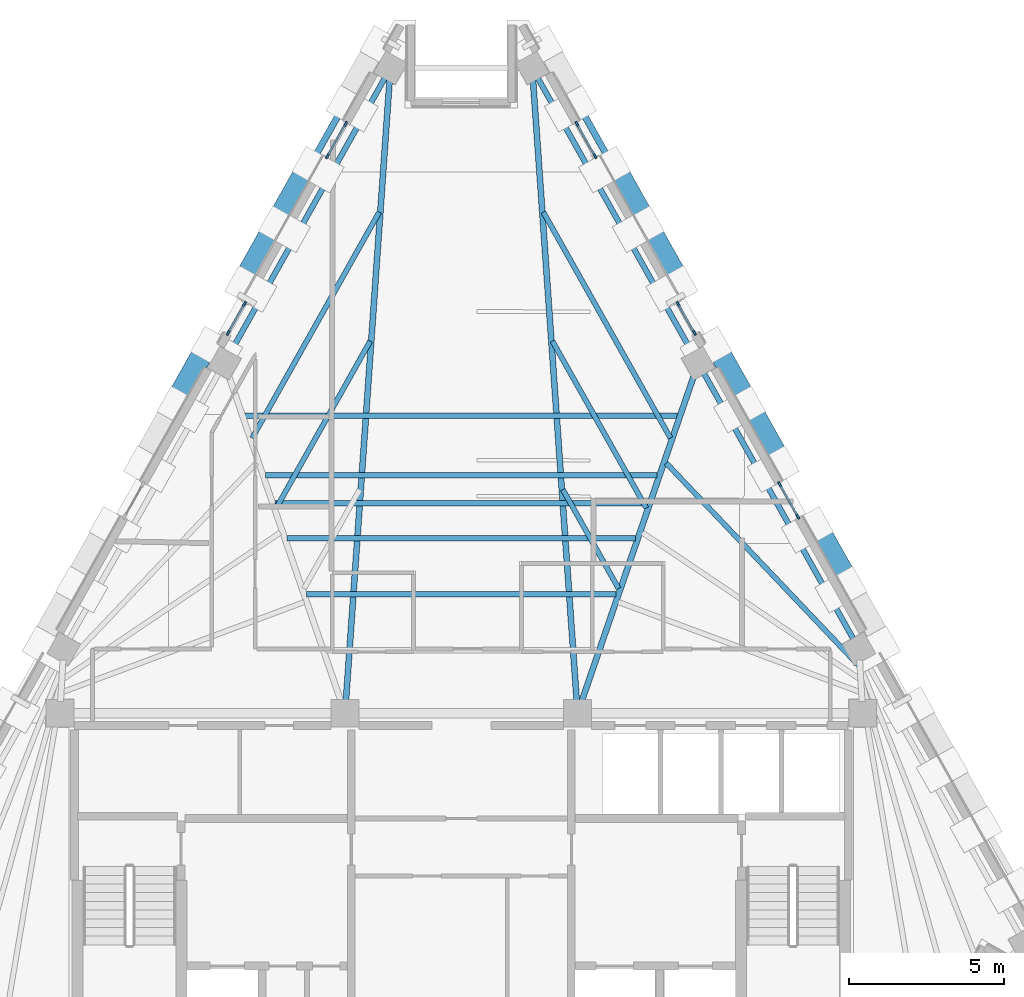
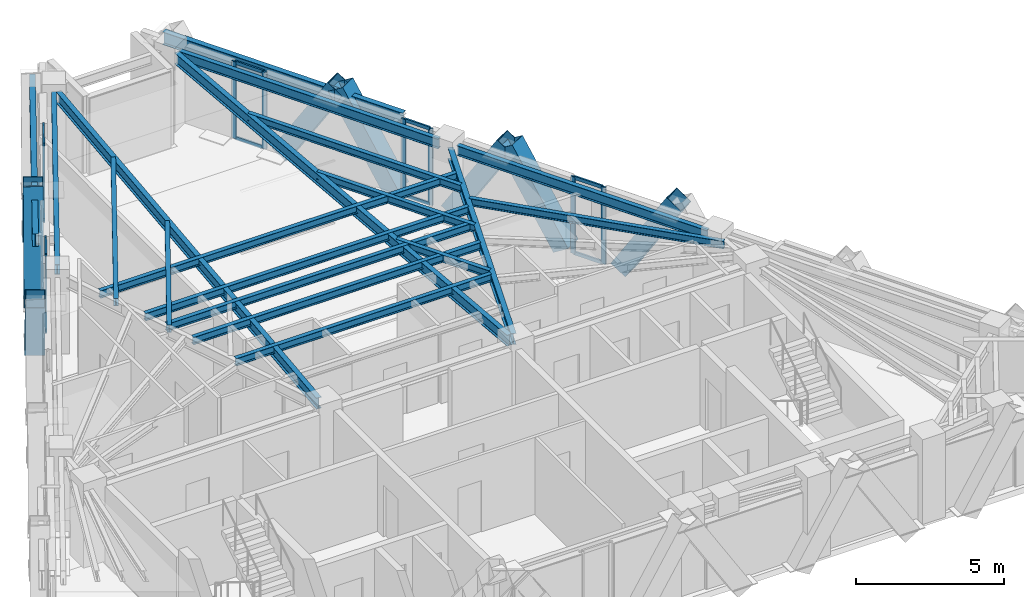
# One storey, part 3 of 9: 28 members, 19 beams, 5 elements without a shape of their own.
"""IFC4 building model written with IfcOpenShell, lengths in metres."""

import ifcopenshell
import ifcopenshell.guid

model = None  # the IFC model being written
_history = None  # IfcOwnerHistory: only IFC2X3 demands one
_inside = {}  # id of a spatial element -> (the spatial element, [elements in it])
_under = {}  # id of a project, library or spatial element -> (it, [spatial elements below it])
_declared = {}  # id of a project -> (the project, [libraries it declares])
_typed = {}  # id of a type object -> (the type object, [elements of that type])
_made_of = {}  # id of a material, layer set ... -> (it, [elements and type objects made of it])


def new_model(schema):
    """Start an empty IFC model of exactly this schema.

    Asked for "IFC4X3", IfcOpenShell would pick the latest addendum, in which some entities
    have other attributes; the version numbers below select the first issue.
    IFC2X3 requires an IfcOwnerHistory on every rooted entity: one is made here for all.
    """
    global model, _history
    if schema == "IFC4X3":
        model = ifcopenshell.file(schema_version=(4, 3, 0, 0))
    else:
        model = ifcopenshell.file(schema=schema)
    _inside.clear()
    _under.clear()
    _declared.clear()
    _typed.clear()
    _made_of.clear()
    _history = None
    if model.schema == "IFC2X3":
        org = make("IfcOrganization", Name="unknown")
        user = make(
            "IfcPersonAndOrganization",
            ThePerson=make("IfcPerson", FamilyName="unknown"),
            TheOrganization=org,
        )
        app = make(
            "IfcApplication",
            ApplicationDeveloper=org,
            Version="unknown",
            ApplicationFullName="unknown",
            ApplicationIdentifier="unknown",
        )
        _history = make(
            "IfcOwnerHistory",
            OwningUser=user,
            OwningApplication=app,
            ChangeAction="ADDED",
            CreationDate=0,
        )
    return model


def make(cls, **values):
    """One entity of the class cls with the attributes given. An attribute that is None is left unset."""
    return model.create_entity(
        cls, **{name: value for name, value in values.items() if value is not None}
    )


def rooted(cls, **values):
    """An entity with a GlobalId (a new one), such as an element, a storey or a relation."""
    return make(cls, GlobalId=ifcopenshell.guid.new(), OwnerHistory=_history, **values)


def si_unit(unit_type, name, prefix=None):
    """IfcSIUnit, for example si_unit("LENGTHUNIT", "METRE", prefix="MILLI")."""
    return make("IfcSIUnit", UnitType=unit_type, Prefix=prefix, Name=name)


def assignment(units):
    """IfcUnitAssignment: the units of a project."""
    return None if units is None else make("IfcUnitAssignment", Units=units)


def point(xyz):
    """IfcCartesianPoint."""
    return None if xyz is None else make("IfcCartesianPoint", Coordinates=xyz)


def direction(xyz):
    """IfcDirection."""
    return None if xyz is None else make("IfcDirection", DirectionRatios=xyz)


def frame(location, z_axis=None, x_axis=None):
    """IfcAxis2Placement3D, a coordinate frame: its origin and axes. An axis left out is left unset."""
    return make(
        "IfcAxis2Placement3D",
        Location=point(location),
        Axis=direction(z_axis),
        RefDirection=direction(x_axis),
    )


def frame_2d(location, x_axis=None):
    """IfcAxis2Placement2D, a coordinate frame in the plane: its origin and x axis."""
    return make(
        "IfcAxis2Placement2D", Location=point(location), RefDirection=direction(x_axis)
    )


def origin():
    """The frame at (0, 0, 0) with its axes left unset."""
    return frame((0.0, 0.0, 0.0))


def origin_2d():
    """The frame at (0, 0) in the plane with its x axis left unset."""
    return frame_2d((0.0, 0.0))


def place(relative_to, where):
    """IfcLocalPlacement: puts the frame where relative to a parent placement (None: the world)."""
    return make(
        "IfcLocalPlacement", PlacementRelTo=relative_to, RelativePlacement=where
    )


def context(
    kind, dimensions, precision=None, world=None, true_north=None, identifier=None
):
    """IfcGeometricRepresentationContext, for example the 3D "Model" context."""
    return make(
        "IfcGeometricRepresentationContext",
        ContextIdentifier=identifier,
        ContextType=kind,
        CoordinateSpaceDimension=dimensions,
        Precision=precision,
        WorldCoordinateSystem=world,
        TrueNorth=true_north,
    )


def subcontext(parent, identifier, kind, view, scale=None):
    """IfcGeometricRepresentationSubContext, for example "Body" below "Model"."""
    return make(
        "IfcGeometricRepresentationSubContext",
        ContextIdentifier=identifier,
        ContextType=kind,
        ParentContext=parent,
        TargetScale=scale,
        TargetView=view,
    )


def project(units=None, contexts=None):
    """IfcProject with its units and contexts."""
    return rooted(
        "IfcProject",
        Name="project",
        RepresentationContexts=contexts,
        UnitsInContext=assignment(units),
    )


def spatial(cls, under=None, at=None, **own):
    """A site, building, storey or space (cls), placed at a placement, below another one or the project."""
    s = rooted(cls, ObjectPlacement=at, **own)
    if under is not None:
        _under.setdefault(under.id(), (under, []))[1].append(s)
    return s


def profile(cls, at=None, kind="AREA", **sizes):
    """A parametric profile (cls). Its sizes go by their IFC names, for example OverallWidth=200.0."""
    return make(cls, ProfileType=kind, Position=at, **sizes)


def rectangle(**sizes):
    """IfcRectangleProfileDef."""
    return profile("IfcRectangleProfileDef", **sizes)


def hollow_rectangle(**sizes):
    """IfcRectangleHollowProfileDef."""
    return profile("IfcRectangleHollowProfileDef", **sizes)


def i_section(**sizes):
    """IfcIShapeProfileDef."""
    return profile("IfcIShapeProfileDef", **sizes)


def extrude(swept, where, along, depth):
    """IfcExtrudedAreaSolid: the profile swept, set in the frame where, extruded along a direction by depth."""
    return make(
        "IfcExtrudedAreaSolid",
        SweptArea=swept,
        Position=where,
        ExtrudedDirection=direction(along),
        Depth=depth,
    )


def shape(context_of_items, identifier, shape_type, items):
    """IfcShapeRepresentation: the items that make up one representation, for example the "Body"."""
    return make(
        "IfcShapeRepresentation",
        ContextOfItems=context_of_items,
        RepresentationIdentifier=identifier,
        RepresentationType=shape_type,
        Items=items,
    )


def material(Name=None, Category=None):
    """IfcMaterial."""
    return make("IfcMaterial", Name=Name, Category=Category)


def material_profile(
    of_material, cross_section, Name=None, Category=None, Priority=None
):
    """IfcMaterialProfile: a cross section and its material."""
    return make(
        "IfcMaterialProfile",
        Name=Name,
        Material=of_material,
        Profile=cross_section,
        Priority=Priority,
        Category=Category,
    )


def profile_set(profiles, Name=None, composite=None):
    """IfcMaterialProfileSet."""
    return make(
        "IfcMaterialProfileSet",
        Name=Name,
        MaterialProfiles=profiles,
        CompositeProfile=composite,
    )


def made_of(thing, what):
    """Note that an element or type object is made of a material, layer set ...; save() writes the relation."""
    if what is not None:
        _made_of.setdefault(what.id(), (what, []))[1].append(thing)
    return thing


def type_object(cls, material=None, **own):
    """A type object (cls), such as IfcWallType, which elements share."""
    return made_of(rooted(cls, **own), material)


def element(
    cls,
    number,
    at=None,
    inside=None,
    cuts=None,
    type_object=None,
    material=None,
    context=None,
    identifier="Body",
    shape_type=None,
    held_by="IfcProductDefinitionShape",
    body=None,
    shapes=None,
    **own,
):
    """One element of the class cls, such as IfcWall. Its Tag is "e" and its number.

    at: its placement. inside: the storey or other place that contains it. cuts: it is an
    opening in that element (IfcRelVoidsElement). A single representation is given by context,
    identifier, shape_type and body (its items); several are given by shapes. held_by: the class
    of the entity that holds the representations. save() writes the other relations.
    """
    e = rooted(cls, Tag="e%d" % number, ObjectPlacement=at, **own)
    if body is not None:
        shapes = [shape(context, identifier, shape_type, body)]
    if shapes is not None:
        e.Representation = make(held_by, Representations=shapes)
    if inside is not None:
        _inside.setdefault(inside.id(), (inside, []))[1].append(e)
    if cuts is not None:
        rooted(
            "IfcRelVoidsElement", RelatingBuildingElement=cuts, RelatedOpeningElement=e
        )
    if type_object is not None:
        _typed.setdefault(type_object.id(), (type_object, []))[1].append(e)
    return made_of(e, material)


def aggregate(whole, parts):
    """IfcRelAggregates: a whole, such as a stair, and the parts it consists of."""
    return rooted("IfcRelAggregates", RelatingObject=whole, RelatedObjects=parts)


def save(model, path):
    """Write the relations noted so far, then the file.

    IfcRelAggregates (storeys below a building ...), IfcRelContainedInSpatialStructure (elements
    in a storey), IfcRelDefinesByType, IfcRelAssociatesMaterial and IfcRelDeclares: one each for
    every whole, place, type object, material and project.
    """
    for whole, parts in _under.values():
        aggregate(whole, parts)
    for where, things in _inside.values():
        rooted(
            "IfcRelContainedInSpatialStructure",
            RelatedElements=things,
            RelatingStructure=where,
        )
    for kind, things in _typed.values():
        rooted("IfcRelDefinesByType", RelatedObjects=things, RelatingType=kind)
    for what, things in _made_of.values():
        rooted("IfcRelAssociatesMaterial", RelatedObjects=things, RelatingMaterial=what)
    for by, libraries in _declared.values():
        rooted("IfcRelDeclares", RelatingContext=by, RelatedDefinitions=libraries)
    model.write(path)


model = new_model("IFC4")

# Units and contexts
model_context = context("Model", 3, precision=1e-05, world=origin(), true_north=direction((0.0, 1.0)))
body_context = subcontext(model_context, "Body", "Model", "MODEL_VIEW")
ifc_project = project(units=[si_unit("LENGTHUNIT", "METRE"), si_unit("AREAUNIT", "SQUARE_METRE"), si_unit("VOLUMEUNIT", "CUBIC_METRE"), si_unit("PLANEANGLEUNIT", "RADIAN"), si_unit("MASSUNIT", "GRAM", prefix="KILO")], contexts=[model_context])

# Site, building, storey
site_placement = place(None, origin())
site = spatial("IfcSite", under=ifc_project, at=site_placement, CompositionType="ELEMENT")
building_placement = place(site_placement, origin())
building = spatial("IfcBuilding", under=site, at=building_placement, Name="Quenlor Broadcast Tower", CompositionType="ELEMENT")
storey_placement = place(building_placement, frame((0.0, 0.0, 267.39990234375)))
storey = spatial("IfcBuildingStorey", under=building, at=storey_placement, Name="L74", CompositionType="ELEMENT", Elevation=267.39990234375)

# Curtain wall, members
ifc_material_1 = material(Name="Architectural Terracotta and Low-E Glazing", Category="masonry")
curtain_wall_type = type_object("IfcCurtainWallType", Name="Unitised Terracotta Curtain Wall System Z5", PredefinedType="NOTDEFINED", material=ifc_material_1)
curtain_wall_1_placement = place(storey_placement, origin())
curtain_wall_1 = element("IfcCurtainWall", 1, at=curtain_wall_1_placement, inside=storey, type_object=curtain_wall_type, Name="L74 Curtain Wall CW5 (L74-NEA-G1)", PredefinedType="NOTDEFINED")
ifc_material_2 = material(Name="Aluminium 6063-T6", Category="aluminium")
ifc_material_profile_1 = material_profile(ifc_material_2, rectangle(XDim=0.06494140625, YDim=0.169921875, at=origin_2d()))
ifc_profile_set_1 = profile_set([ifc_material_profile_1], Name="Aluminium 6063-T6 MULL65x170")
member_type_1 = type_object("IfcMemberType", Name="CW5 Aluminium Mullion MULL_CW5", PredefinedType="MULLION", material=ifc_profile_set_1)
member_1_placement = place(storey_placement, frame((3.72802734375, 14.211669921875, 0.0), z_axis=(0.0, 0.0, 1.0), x_axis=(0.871558583916, 0.49029137745, 0.0)))
member_1 = element("IfcMember", 2, at=member_1_placement, type_object=member_type_1, Name="CW5 mullion 1", PredefinedType="MULLION", context=body_context, shape_type="SweptSolid", body=[
    extrude(rectangle(XDim=0.06494140625, YDim=0.169921875, at=origin_2d()), origin(), (0.0, 0.0, 1.0), 3.18017578125),
])
member_2_placement = place(storey_placement, frame((4.31396484375, 13.169921875, 0.0), z_axis=(0.0, 0.0, 1.0), x_axis=(0.871558583916, 0.49029137745, 0.0)))
member_2 = element("IfcMember", 3, at=member_2_placement, type_object=member_type_1, Name="CW5 mullion 2", PredefinedType="MULLION", context=body_context, shape_type="SweptSolid", body=[
    extrude(rectangle(XDim=0.06494140625, YDim=0.169921875, at=origin_2d()), origin(), (0.0, 0.0, 1.0), 3.18017578125),
])

curtain_wall_2_placement = place(storey_placement, origin())
curtain_wall_2 = element("IfcCurtainWall", 4, at=curtain_wall_2_placement, inside=storey, type_object=curtain_wall_type, Name="L74 Curtain Wall CW5 (L74-NEA-G2)", PredefinedType="NOTDEFINED")
member_3_placement = place(storey_placement, frame((6.99755859375, 8.39892578125, 0.0), z_axis=(0.0, 0.0, 1.0), x_axis=(0.871563693894, 0.490282293669, 0.0)))
member_3 = element("IfcMember", 5, at=member_3_placement, type_object=member_type_1, Name="CW5 mullion 1", PredefinedType="MULLION", context=body_context, shape_type="SweptSolid", body=[
    extrude(rectangle(XDim=0.06494140625, YDim=0.169921875, at=origin_2d()), origin(), (0.0, 0.0, 1.0), 3.18017578125),
])
member_4_placement = place(storey_placement, frame((7.5185546875, 7.472900390625, 0.0), z_axis=(0.0, 0.0, 1.0), x_axis=(0.871563693894, 0.490282293669, 0.0)))
member_4 = element("IfcMember", 6, at=member_4_placement, type_object=member_type_1, Name="CW5 mullion 2", PredefinedType="MULLION", context=body_context, shape_type="SweptSolid", body=[
    extrude(rectangle(XDim=0.06494140625, YDim=0.169921875, at=origin_2d()), origin(), (0.0, 0.0, 1.0), 3.18017578125),
])

curtain_wall_3_placement = place(storey_placement, origin())
curtain_wall_3 = element("IfcCurtainWall", 7, at=curtain_wall_3_placement, inside=storey, type_object=curtain_wall_type, Name="L74 Curtain Wall CW5 (L74-NE-G1)", PredefinedType="NOTDEFINED")
member_5_placement = place(storey_placement, frame((10.267333984375, 2.586181640625, 0.0), z_axis=(0.0, 0.0, 1.0), x_axis=(0.871592489955, 0.490231100048, 0.0)))
member_5 = element("IfcMember", 8, at=member_5_placement, type_object=member_type_1, Name="CW5 mullion 1", PredefinedType="MULLION", context=body_context, shape_type="SweptSolid", body=[
    extrude(rectangle(XDim=0.06494140625, YDim=0.169921875, at=origin_2d()), origin(), (0.0, 0.0, 1.0), 3.18017578125),
])
member_6_placement = place(storey_placement, frame((10.853271484375, 1.54443359375, 0.0), z_axis=(0.0, 0.0, 1.0), x_axis=(0.871592489955, 0.490231100048, 0.0)))
member_6 = element("IfcMember", 9, at=member_6_placement, type_object=member_type_1, Name="CW5 mullion 2", PredefinedType="MULLION", context=body_context, shape_type="SweptSolid", body=[
    extrude(rectangle(XDim=0.06494140625, YDim=0.169921875, at=origin_2d()), origin(), (0.0, 0.0, 1.0), 3.18017578125),
])

curtain_wall_4_placement = place(storey_placement, origin())
curtain_wall_4 = element("IfcCurtainWall", 10, at=curtain_wall_4_placement, inside=storey, type_object=curtain_wall_type, Name="L74 Curtain Wall CW5 (L74-NWC-G1)", PredefinedType="NOTDEFINED")
member_7_placement = place(storey_placement, frame((-7.5185546875, 7.472900390625, 0.0), z_axis=(0.0, 0.0, 1.0), x_axis=(-0.871563693894, 0.490282293669, 0.0)))
member_7 = element("IfcMember", 11, at=member_7_placement, type_object=member_type_1, Name="CW5 mullion 1", PredefinedType="MULLION", context=body_context, shape_type="SweptSolid", body=[
    extrude(rectangle(XDim=0.06494140625, YDim=0.169921875, at=origin_2d()), origin(), (0.0, 0.0, 1.0), 3.18017578125),
])
member_8_placement = place(storey_placement, frame((-6.99755859375, 8.39892578125, 0.0), z_axis=(0.0, 0.0, 1.0), x_axis=(-0.871563693894, 0.490282293669, 0.0)))
member_8 = element("IfcMember", 12, at=member_8_placement, type_object=member_type_1, Name="CW5 mullion 2", PredefinedType="MULLION", context=body_context, shape_type="SweptSolid", body=[
    extrude(rectangle(XDim=0.06494140625, YDim=0.169921875, at=origin_2d()), origin(), (0.0, 0.0, 1.0), 3.18017578125),
])

curtain_wall_5_placement = place(storey_placement, origin())
curtain_wall_5 = element("IfcCurtainWall", 13, at=curtain_wall_5_placement, inside=storey, type_object=curtain_wall_type, Name="L74 Curtain Wall CW5 (L74-NWC-G2)", PredefinedType="NOTDEFINED")
member_9_placement = place(storey_placement, frame((-4.31396484375, 13.169921875, 0.0), z_axis=(0.0, 0.0, 1.0), x_axis=(-0.871558583916, 0.49029137745, 0.0)))
member_9 = element("IfcMember", 14, at=member_9_placement, type_object=member_type_1, Name="CW5 mullion 1", PredefinedType="MULLION", context=body_context, shape_type="SweptSolid", body=[
    extrude(rectangle(XDim=0.06494140625, YDim=0.169921875, at=origin_2d()), origin(), (0.0, 0.0, 1.0), 3.18017578125),
])
member_10_placement = place(storey_placement, frame((-3.72802734375, 14.211669921875, 0.0), z_axis=(0.0, 0.0, 1.0), x_axis=(-0.871558583916, 0.49029137745, 0.0)))
member_10 = element("IfcMember", 15, at=member_10_placement, type_object=member_type_1, Name="CW5 mullion 2", PredefinedType="MULLION", context=body_context, shape_type="SweptSolid", body=[
    extrude(rectangle(XDim=0.06494140625, YDim=0.169921875, at=origin_2d()), origin(), (0.0, 0.0, 1.0), 3.18017578125),
])

# Member
ifc_material_3 = material(Name="Aluminium 6063-T6", Category="aluminium")
ifc_material_profile_2 = material_profile(ifc_material_3, rectangle(XDim=0.06494140625, YDim=0.139892578125, at=origin_2d()))
ifc_profile_set_2 = profile_set([ifc_material_profile_2], Name="Aluminium 6063-T6 TRAN65x140")
member_type_2 = type_object("IfcMemberType", Name="CW5 Aluminium Transom TRAN_CW5", PredefinedType="USERDEFINED", material=ifc_profile_set_2)
member_11_placement = place(storey_placement, frame((3.743896484375, 14.183349609375, 0.03271484375), z_axis=(0.490312513966, -0.871546693327, 0.0), x_axis=(0.871546693327, 0.490312513966, 0.0)))
member_11 = element("IfcMember", 16, at=member_11_placement, type_object=member_type_2, Name="CW5 transom 1.1", ObjectType="TRANSOM", PredefinedType="USERDEFINED", context=body_context, shape_type="SweptSolid", body=[
    extrude(rectangle(XDim=0.06494140625, YDim=0.139892578125, at=origin_2d()), origin(), (0.0, 0.0, 1.0), 1.13037109375),
])

member_12_placement = place(storey_placement, frame((3.743896484375, 14.183349609375, 3.147705078125), z_axis=(0.490312513966, -0.871546693327, 0.0), x_axis=(0.871546693327, 0.490312513966, 0.0)))
member_12 = element("IfcMember", 17, at=member_12_placement, type_object=member_type_2, Name="CW5 transom 1.2", ObjectType="TRANSOM", PredefinedType="USERDEFINED", context=body_context, shape_type="SweptSolid", body=[
    extrude(rectangle(XDim=0.06494140625, YDim=0.139892578125, at=origin_2d()), origin(), (0.0, 0.0, 1.0), 1.13037109375),
])

aggregate(curtain_wall_1, [member_1, member_2, member_11, member_12])

member_13_placement = place(storey_placement, frame((7.013427734375, 8.37060546875, 0.03271484375), z_axis=(0.490249619047, -0.871582073602, 0.0), x_axis=(0.871582073602, 0.490249619047, 0.0)))
member_13 = element("IfcMember", 18, at=member_13_placement, type_object=member_type_2, Name="CW5 transom 1.1", ObjectType="TRANSOM", PredefinedType="USERDEFINED", context=body_context, shape_type="SweptSolid", body=[
    extrude(rectangle(XDim=0.06494140625, YDim=0.139892578125, at=origin_2d()), origin(), (0.0, 0.0, 1.0), 0.99755859375),
])

member_14_placement = place(storey_placement, frame((7.013427734375, 8.37060546875, 3.147705078125), z_axis=(0.490249619047, -0.871582073602, 0.0), x_axis=(0.871582073602, 0.490249619047, 0.0)))
member_14 = element("IfcMember", 19, at=member_14_placement, type_object=member_type_2, Name="CW5 transom 1.2", ObjectType="TRANSOM", PredefinedType="USERDEFINED", context=body_context, shape_type="SweptSolid", body=[
    extrude(rectangle(XDim=0.06494140625, YDim=0.139892578125, at=origin_2d()), origin(), (0.0, 0.0, 1.0), 0.99755859375),
])

aggregate(curtain_wall_2, [member_3, member_4, member_13, member_14])

member_15_placement = place(storey_placement, frame((10.283203125, 2.557861328125, 0.03271484375), z_axis=(0.490312513966, -0.871546693327, 0.0), x_axis=(0.871546693327, 0.490312513966, 0.0)))
member_15 = element("IfcMember", 20, at=member_15_placement, type_object=member_type_2, Name="CW5 transom 1.1", ObjectType="TRANSOM", PredefinedType="USERDEFINED", context=body_context, shape_type="SweptSolid", body=[
    extrude(rectangle(XDim=0.06494140625, YDim=0.139892578125, at=origin_2d()), origin(), (0.0, 0.0, 1.0), 1.13037109375),
])

member_16_placement = place(storey_placement, frame((10.283203125, 2.557861328125, 3.147705078125), z_axis=(0.490312513966, -0.871546693327, 0.0), x_axis=(0.871546693327, 0.490312513966, 0.0)))
member_16 = element("IfcMember", 21, at=member_16_placement, type_object=member_type_2, Name="CW5 transom 1.2", ObjectType="TRANSOM", PredefinedType="USERDEFINED", context=body_context, shape_type="SweptSolid", body=[
    extrude(rectangle(XDim=0.06494140625, YDim=0.139892578125, at=origin_2d()), origin(), (0.0, 0.0, 1.0), 1.13037109375),
])

aggregate(curtain_wall_3, [member_5, member_6, member_15, member_16])

member_17_placement = place(storey_placement, frame((-7.50244140625, 7.501220703125, 0.03271484375), z_axis=(0.490249619047, 0.871582073602, 0.0), x_axis=(-0.871582073602, 0.490249619047, 0.0)))
member_17 = element("IfcMember", 22, at=member_17_placement, type_object=member_type_2, Name="CW5 transom 1.1", ObjectType="TRANSOM", PredefinedType="USERDEFINED", context=body_context, shape_type="SweptSolid", body=[
    extrude(rectangle(XDim=0.06494140625, YDim=0.139892578125, at=origin_2d()), origin(), (0.0, 0.0, 1.0), 0.99755859375),
])

member_18_placement = place(storey_placement, frame((-7.50244140625, 7.501220703125, 3.147705078125), z_axis=(0.490249619047, 0.871582073602, 0.0), x_axis=(-0.871582073602, 0.490249619047, 0.0)))
member_18 = element("IfcMember", 23, at=member_18_placement, type_object=member_type_2, Name="CW5 transom 1.2", ObjectType="TRANSOM", PredefinedType="USERDEFINED", context=body_context, shape_type="SweptSolid", body=[
    extrude(rectangle(XDim=0.06494140625, YDim=0.139892578125, at=origin_2d()), origin(), (0.0, 0.0, 1.0), 0.99755859375),
])

aggregate(curtain_wall_4, [member_7, member_8, member_17, member_18])

member_19_placement = place(storey_placement, frame((-4.298095703125, 13.1982421875, 0.03271484375), z_axis=(0.490312513966, 0.871546693327, 0.0), x_axis=(-0.871546693327, 0.490312513966, 0.0)))
member_19 = element("IfcMember", 24, at=member_19_placement, type_object=member_type_2, Name="CW5 transom 1.1", ObjectType="TRANSOM", PredefinedType="USERDEFINED", context=body_context, shape_type="SweptSolid", body=[
    extrude(rectangle(XDim=0.06494140625, YDim=0.139892578125, at=origin_2d()), origin(), (0.0, 0.0, 1.0), 1.13037109375),
])

member_20_placement = place(storey_placement, frame((-4.298095703125, 13.1982421875, 3.147705078125), z_axis=(0.490312513966, 0.871546693327, 0.0), x_axis=(-0.871546693327, 0.490312513966, 0.0)))
member_20 = element("IfcMember", 25, at=member_20_placement, type_object=member_type_2, Name="CW5 transom 1.2", ObjectType="TRANSOM", PredefinedType="USERDEFINED", context=body_context, shape_type="SweptSolid", body=[
    extrude(rectangle(XDim=0.06494140625, YDim=0.139892578125, at=origin_2d()), origin(), (0.0, 0.0, 1.0), 1.13037109375),
])

aggregate(curtain_wall_5, [member_9, member_10, member_19, member_20])

# Members
ifc_material_4 = material(Name="Steel S355", Category="steel")
ifc_material_profile_3 = material_profile(ifc_material_4, hollow_rectangle(XDim=0.679931640625, YDim=0.679931640625, WallThickness=0.02001953125, at=origin_2d()))
ifc_profile_set_3 = profile_set([ifc_material_profile_3], Name="Steel S355 RHS680x680x20")
member_type_3 = type_object("IfcMemberType", Name="Perimeter Diagonal Lattice Brace Z5-Crown Steel S355 RHS680x20", PredefinedType="BRACE", material=ifc_profile_set_3)
for number, where, z_axis, x_axis, name in (
    (26, (4.916748046875, 12.904052734375, -0.119873046875), (0.260563732169, -0.463283497491, 0.847038926161), (0.871602253711, 0.49021374045, 0.0), "L74 Perimeter Diamond Lattice NE-C1S"),
    (27, (8.186279296875, 7.09130859375, -0.119873046875), (0.260618804175, -0.463276364439, 0.847025884529), (0.8715547569, 0.490298180422, 0.0), "L74 Perimeter Diamond Lattice NE-C2S"),
    (28, (7.08349609375, 9.052001953125, -0.119873046875), (-0.260618804175, 0.463276364439, 0.847025884529), (-0.8715547569, -0.490298180422, 0.0), "L74 Perimeter Diamond Lattice NE-C2B"),
    (29, (11.4560546875, 1.2783203125, -0.119873046875), (0.260618804175, -0.463276364439, 0.847025884529), (0.8715547569, 0.490298180422, 0.0), "L74 Perimeter Diamond Lattice NE-C3S"),
    (30, (10.35302734375, 3.2392578125, -0.119873046875), (-0.260563732169, 0.463283497491, 0.847038926161), (-0.871602253711, -0.49021374045, 0.0), "L74 Perimeter Diamond Lattice NE-C3B"),
    (31, (-7.08349609375, 9.052001953125, -0.119873046875), (0.260618804175, 0.463276364439, 0.847025884529), (-0.8715547569, 0.490298180422, 0.0), "L74 Perimeter Diamond Lattice NW-C4S"),
    (32, (-8.186279296875, 7.09130859375, -0.119873046875), (-0.260618804175, -0.463276364439, 0.847025884529), (0.8715547569, -0.490298180422, 0.0), "L74 Perimeter Diamond Lattice NW-C4B"),
    (33, (-4.916748046875, 12.904052734375, -0.119873046875), (-0.260563732169, -0.463283497491, 0.847038926161), (0.871602253711, -0.49021374045, 0.0), "L74 Perimeter Diamond Lattice NW-C5B"),
):
    element("IfcMember", number, at=place(storey_placement, frame(where, z_axis=z_axis, x_axis=x_axis)), inside=storey, type_object=member_type_3, Name=name, PredefinedType="BRACE", context=body_context, shape_type="SweptSolid", body=[
        extrude(hollow_rectangle(XDim=0.679931640625, YDim=0.679931640625, WallThickness=0.02001953125, at=origin_2d()), origin(), (0.0, 0.0, 1.0), 4.132080078125),
    ])

# Beams
ifc_material_5 = material(Name="Steel S355", Category="steel")
ifc_material_profile_4 = material_profile(ifc_material_5, i_section(OverallWidth=0.208984375, OverallDepth=0.532958984375, WebThickness=0.01025390625, FlangeThickness=0.015625, FilletRadius=0.013916015625, at=origin_2d()))
ifc_profile_set_4 = profile_set([ifc_material_profile_4], Name="Steel S355 530UB92.4")
beam_type_1 = type_object("IfcBeamType", Name="Perimeter Spandrel Beam Z1 Steel S355 530UB92.4", PredefinedType="SPANDREL", material=ifc_profile_set_4)
for number, where, z_axis, x_axis, name in (
    (34, (2.573974609375, 16.966796875, 2.91357421875), (0.490268609204, -0.871571391699, 0.0), (0.871571391699, 0.490268609204, 0.0), "L74 Lattice Sill Girder NEA"),
    (35, (-7.20068359375, 8.74169921875, 2.91357421875), (0.490268609204, 0.871571391699, 0.0), (-0.871571391699, 0.490268609204, 0.0), "L74 Lattice Sill Girder NWB"),
):
    element("IfcBeam", number, at=place(storey_placement, frame(where, z_axis=z_axis, x_axis=x_axis)), inside=storey, type_object=beam_type_1, Name=name, PredefinedType="SPANDREL", context=body_context, shape_type="SweptSolid", body=[
        extrude(i_section(OverallWidth=0.208984375, OverallDepth=0.532958984375, WebThickness=0.01025390625, FlangeThickness=0.015625, FilletRadius=0.013916015625, at=origin_2d()), origin(), (0.0, 0.0, 1.0), 9.43701171875),
    ])
ifc_material_6 = material(Name="Steel S355", Category="steel")
ifc_material_profile_5 = material_profile(ifc_material_6, i_section(OverallWidth=0.177978515625, OverallDepth=0.406494140625, WebThickness=0.0078125, FlangeThickness=0.0126953125, FilletRadius=0.011474609375, at=origin_2d()))
ifc_profile_set_5 = profile_set([ifc_material_profile_5], Name="Steel S355 410UB59.7")
beam_type_2 = type_object("IfcBeamType", Name="Perimeter Spandrel Beam Z5 Steel S355 410UB59.7", PredefinedType="SPANDREL", material=ifc_profile_set_5)
beam_1_placement = place(storey_placement, frame((12.64892578125, -2.412841796875, 2.976806640625), z_axis=(-0.49024947634, 0.871582153872, 0.0), x_axis=(-0.871582153872, -0.49024947634, 0.0)))
element("IfcBeam", 36, at=beam_1_placement, inside=storey, type_object=beam_type_2, Name="L74 Spandrel Beam NE2-NE3", PredefinedType="SPANDREL", context=body_context, shape_type="SweptSolid", body=[
    extrude(i_section(OverallWidth=0.177978515625, OverallDepth=0.406494140625, WebThickness=0.0078125, FlangeThickness=0.0126953125, FilletRadius=0.011474609375, at=origin_2d()), origin(), (0.0, 0.0, 1.0), 9.853759765625),
])
for number, where, z_axis, x_axis, name in (
    (37, (7.465087890625, 6.802978515625, 2.976806640625), (-0.490264646634, 0.871573620677, 0.0), (-0.871573620677, -0.490264646634, 0.0), "L74 Spandrel Beam NE3-NE4"),
    (38, (-2.461181640625, 15.69873046875, 2.976806640625), (-0.490264646634, -0.871573620677, 0.0), (0.871573620677, -0.490264646634, 0.0), "L74 Spandrel Beam NW1-NW2"),
):
    element("IfcBeam", number, at=place(storey_placement, frame(where, z_axis=z_axis, x_axis=x_axis)), inside=storey, type_object=beam_type_2, Name=name, PredefinedType="SPANDREL", context=body_context, shape_type="SweptSolid", body=[
        extrude(i_section(OverallWidth=0.177978515625, OverallDepth=0.406494140625, WebThickness=0.0078125, FlangeThickness=0.0126953125, FilletRadius=0.011474609375, at=origin_2d()), origin(), (0.0, 0.0, 1.0), 10.20654296875),
    ])
ifc_material_7 = material(Name="Steel S355", Category="steel")
ifc_material_profile_6 = material_profile(ifc_material_7, i_section(OverallWidth=0.166015625, OverallDepth=0.30712890625, WebThickness=0.006591796875, FlangeThickness=0.01171875, FilletRadius=0.011474609375, at=origin_2d()))
ifc_profile_set_6 = profile_set([ifc_material_profile_6], Name="Steel S355 310UB46.2")
beam_type_3 = type_object("IfcBeamType", Name="Tower Composite Joist Z4-Z5 Steel S355 310UB46.2", PredefinedType="JOIST", material=ifc_profile_set_6)
beam_2_placement = place(storey_placement, frame((-6.0048828125, 1.9736328125, 3.026611328125), z_axis=(1.0, 0.0, 0.0), x_axis=(0.0, 1.0, 0.0)))
element("IfcBeam", 39, at=beam_2_placement, inside=storey, type_object=beam_type_3, Name="L74 Secondary Composite Joist 2", PredefinedType="JOIST", context=body_context, shape_type="SweptSolid", body=[
    extrude(i_section(OverallWidth=0.166015625, OverallDepth=0.30712890625, WebThickness=0.006591796875, FlangeThickness=0.01171875, FilletRadius=0.011474609375, at=origin_2d()), origin(), (0.0, 0.0, 1.0), 12.009765625),
])
beam_3_placement = place(storey_placement, frame((-4.9931640625, -0.961669921875, 3.026611328125), z_axis=(1.0, 0.0, 0.0), x_axis=(0.0, 1.0, 0.0)))
element("IfcBeam", 40, at=beam_3_placement, inside=storey, type_object=beam_type_3, Name="L74 Secondary Composite Joist 3", PredefinedType="JOIST", context=body_context, shape_type="SweptSolid", body=[
    extrude(i_section(OverallWidth=0.166015625, OverallDepth=0.30712890625, WebThickness=0.006591796875, FlangeThickness=0.01171875, FilletRadius=0.011474609375, at=origin_2d()), origin(), (0.0, 0.0, 1.0), 9.986328125),
])
beam_4_placement = place(storey_placement, frame((-5.61572265625, 0.8447265625, 3.026611328125), z_axis=(1.0, 0.0, 0.0), x_axis=(0.0, 1.0, 0.0)))
element("IfcBeam", 41, at=beam_4_placement, inside=storey, type_object=beam_type_3, Name="L74 Secondary Composite Joist 4", PredefinedType="JOIST", context=body_context, shape_type="SweptSolid", body=[
    extrude(i_section(OverallWidth=0.166015625, OverallDepth=0.30712890625, WebThickness=0.006591796875, FlangeThickness=0.01171875, FilletRadius=0.011474609375, at=origin_2d()), origin(), (0.0, 0.0, 1.0), 11.2314453125),
])
beam_5_placement = place(storey_placement, frame((-6.316162109375, 2.876708984375, 3.026611328125), z_axis=(1.0, 0.0, 0.0), x_axis=(0.0, 1.0, 0.0)))
element("IfcBeam", 42, at=beam_5_placement, inside=storey, type_object=beam_type_3, Name="L74 Secondary Composite Joist 5", PredefinedType="JOIST", context=body_context, shape_type="SweptSolid", body=[
    extrude(i_section(OverallWidth=0.166015625, OverallDepth=0.30712890625, WebThickness=0.006591796875, FlangeThickness=0.01171875, FilletRadius=0.011474609375, at=origin_2d()), origin(), (0.0, 0.0, 1.0), 12.63232421875),
])
beam_6_placement = place(storey_placement, frame((-6.977783203125, 4.7958984375, 3.026611328125), z_axis=(1.0, 0.0, 0.0), x_axis=(0.0, 1.0, 0.0)))
element("IfcBeam", 43, at=beam_6_placement, inside=storey, type_object=beam_type_3, Name="L74 Secondary Composite Joist 6", PredefinedType="JOIST", context=body_context, shape_type="SweptSolid", body=[
    extrude(i_section(OverallWidth=0.166015625, OverallDepth=0.30712890625, WebThickness=0.006591796875, FlangeThickness=0.01171875, FilletRadius=0.011474609375, at=origin_2d()), origin(), (0.0, 0.0, 1.0), 13.95556640625),
])
beam_7_placement = place(storey_placement, frame((12.80517578125, -3.249267578125, 3.026611328125), z_axis=(-0.689023306429, 0.724739182877, 0.0), x_axis=(-0.724739182877, -0.689023306429, 0.0)))
element("IfcBeam", 44, at=beam_7_placement, inside=storey, type_object=beam_type_3, Name="L74 Secondary Composite Joist 12", PredefinedType="JOIST", context=body_context, shape_type="SweptSolid", body=[
    extrude(i_section(OverallWidth=0.166015625, OverallDepth=0.30712890625, WebThickness=0.006591796875, FlangeThickness=0.01171875, FilletRadius=0.011474609375, at=origin_2d()), origin(), (0.0, 0.0, 1.0), 8.99560546875),
])
beam_8_placement = place(storey_placement, frame((-2.939208984375, 7.201416015625, 3.026611328125), z_axis=(-0.490266868828, -0.871572370678, 0.0), x_axis=(0.871572370678, -0.490266868828, 0.0)))
element("IfcBeam", 45, at=beam_8_placement, inside=storey, type_object=beam_type_3, Name="L74 Secondary Composite Joist 26", PredefinedType="JOIST", context=body_context, shape_type="SweptSolid", body=[
    extrude(i_section(OverallWidth=0.166015625, OverallDepth=0.30712890625, WebThickness=0.006591796875, FlangeThickness=0.01171875, FilletRadius=0.011474609375, at=origin_2d()), origin(), (0.0, 0.0, 1.0), 6.177490234375),
])
beam_9_placement = place(storey_placement, frame((-2.646240234375, 11.364013671875, 3.026611328125), z_axis=(-0.490264011812, -0.871573977768, 0.0), x_axis=(0.871573977768, -0.490264011812, 0.0)))
element("IfcBeam", 46, at=beam_9_placement, inside=storey, type_object=beam_type_3, Name="L74 Secondary Composite Joist 27", PredefinedType="JOIST", context=body_context, shape_type="SweptSolid", body=[
    extrude(i_section(OverallWidth=0.166015625, OverallDepth=0.30712890625, WebThickness=0.006591796875, FlangeThickness=0.01171875, FilletRadius=0.011474609375, at=origin_2d()), origin(), (0.0, 0.0, 1.0), 8.362548828125),
])
beam_10_placement = place(storey_placement, frame((3.2763671875, 2.41455078125, 3.026611328125), z_axis=(0.490258076222, -0.871577316535, 0.0), x_axis=(0.871577316535, 0.490258076222, 0.0)))
element("IfcBeam", 47, at=beam_10_placement, inside=storey, type_object=beam_type_3, Name="L74 Secondary Composite Joist 28", PredefinedType="JOIST", context=body_context, shape_type="SweptSolid", body=[
    extrude(i_section(OverallWidth=0.166015625, OverallDepth=0.30712890625, WebThickness=0.006591796875, FlangeThickness=0.01171875, FilletRadius=0.011474609375, at=origin_2d()), origin(), (0.0, 0.0, 1.0), 3.6640625),
])
beam_11_placement = place(storey_placement, frame((2.939208984375, 7.201416015625, 3.026611328125), z_axis=(0.490266868828, -0.871572370678, 0.0), x_axis=(0.871572370678, 0.490266868828, 0.0)))
element("IfcBeam", 48, at=beam_11_placement, inside=storey, type_object=beam_type_3, Name="L74 Secondary Composite Joist 29", PredefinedType="JOIST", context=body_context, shape_type="SweptSolid", body=[
    extrude(i_section(OverallWidth=0.166015625, OverallDepth=0.30712890625, WebThickness=0.006591796875, FlangeThickness=0.01171875, FilletRadius=0.011474609375, at=origin_2d()), origin(), (0.0, 0.0, 1.0), 6.177490234375),
])
beam_12_placement = place(storey_placement, frame((2.646240234375, 11.364013671875, 3.026611328125), z_axis=(0.490264011812, -0.871573977768, 0.0), x_axis=(0.871573977768, 0.490264011812, 0.0)))
element("IfcBeam", 49, at=beam_12_placement, inside=storey, type_object=beam_type_3, Name="L74 Secondary Composite Joist 30", PredefinedType="JOIST", context=body_context, shape_type="SweptSolid", body=[
    extrude(i_section(OverallWidth=0.166015625, OverallDepth=0.30712890625, WebThickness=0.006591796875, FlangeThickness=0.01171875, FilletRadius=0.011474609375, at=origin_2d()), origin(), (0.0, 0.0, 1.0), 8.362548828125),
])
ifc_material_8 = material(Name="Steel S355", Category="steel")
ifc_material_profile_7 = material_profile(ifc_material_8, i_section(OverallWidth=0.19091796875, OverallDepth=0.46044921875, WebThickness=0.010009765625, FlangeThickness=0.01611328125, FilletRadius=0.011474609375, at=origin_2d()))
ifc_profile_set_7 = profile_set([ifc_material_profile_7], Name="Steel S355 460UB82.1")
beam_type_4 = type_object("IfcBeamType", Name="Tower Primary Floor Beam Z5 Steel S355 460UB82.1", PredefinedType="BEAM", material=ifc_profile_set_7)
beam_13_placement = place(storey_placement, frame((7.524169921875, 6.14892578125, 2.949951171875), z_axis=(-0.325895297662, -0.945405867848, 0.0), x_axis=(0.945405867848, -0.325895297662, 0.0)))
element("IfcBeam", 50, at=beam_13_placement, inside=storey, type_object=beam_type_4, Name="L74 Primary Radial Beam NE3", PredefinedType="BEAM", context=body_context, shape_type="SweptSolid", body=[
    extrude(i_section(OverallWidth=0.19091796875, OverallDepth=0.46044921875, WebThickness=0.010009765625, FlangeThickness=0.01611328125, FilletRadius=0.011474609375, at=origin_2d()), origin(), (0.0, 0.0, 1.0), 11.201171875),
])
for number, where, z_axis, x_axis, name in (
    (51, (2.31005859375, 15.6533203125, 2.949951171875), (0.070231384782, -0.997530727643, 0.0), (0.997530727643, 0.070231384782, 0.0), "L74 Primary Radial Beam NE4"),
    (52, (-2.31005859375, 15.6533203125, 2.949951171875), (-0.070231384782, -0.997530727643, 0.0), (0.997530727643, -0.070231384782, 0.0), "L74 Primary Radial Beam NW1"),
):
    element("IfcBeam", number, at=place(storey_placement, frame(where, z_axis=z_axis, x_axis=x_axis)), inside=storey, type_object=beam_type_4, Name=name, PredefinedType="BEAM", context=body_context, shape_type="SweptSolid", body=[
        extrude(i_section(OverallWidth=0.19091796875, OverallDepth=0.46044921875, WebThickness=0.010009765625, FlangeThickness=0.01611328125, FilletRadius=0.011474609375, at=origin_2d()), origin(), (0.0, 0.0, 1.0), 20.1240234375),
    ])

save(model, "model.ifc")
